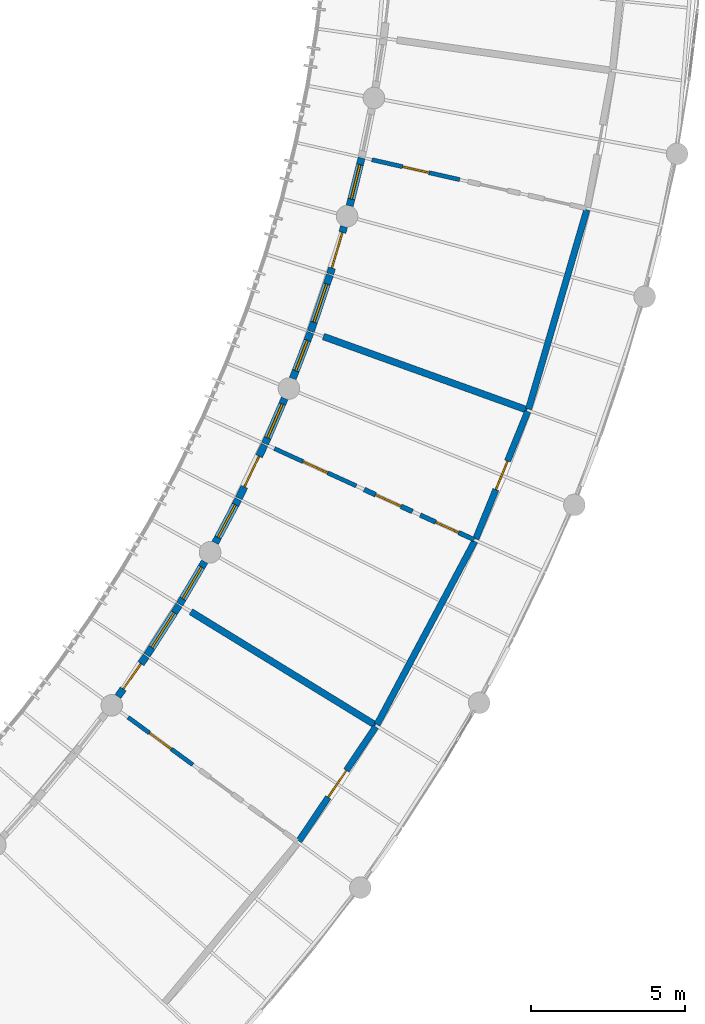
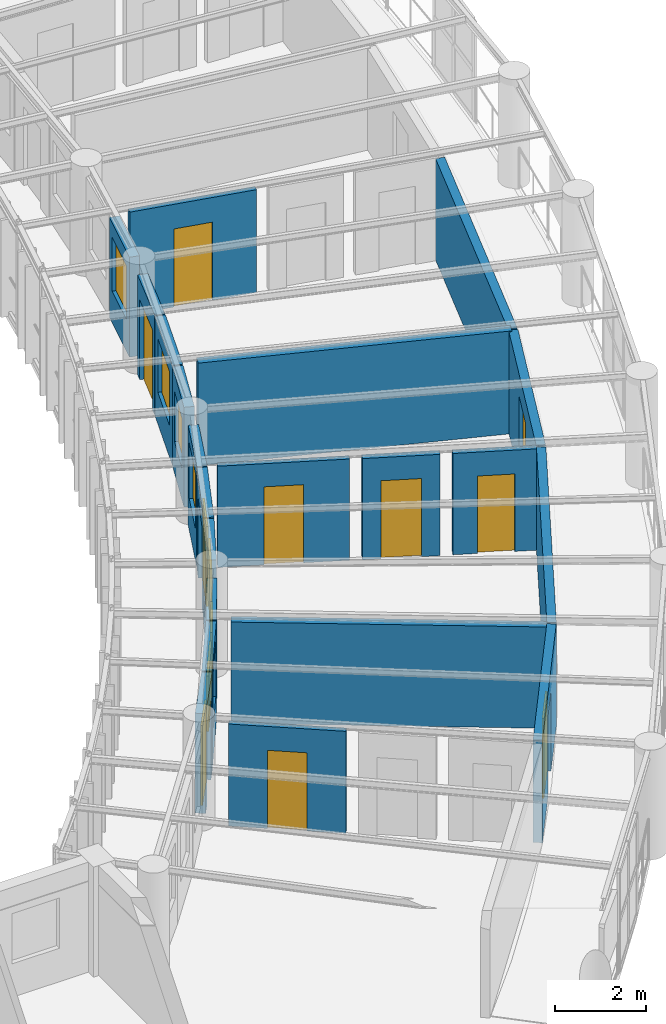
# One storey, part 80 of 123: 21 walls, 10 doors, 7 windows, 17 openings.
"""IFC4 building model written with IfcOpenShell, lengths in metres."""

from ifc_helpers import new_model, si_unit, direction, frame, frame_2d, origin, place, context, subcontext, project, spatial, rectangle, extrude, material, layer, layer_set, type_object, element, fill, save


model = new_model("IFC4")

# Units and contexts
model_context = context("Model", 3, precision=1e-05, world=origin(), true_north=direction((0.0, 1.0)))
body_context = subcontext(model_context, "Body", "Model", "MODEL_VIEW")
ifc_project = project(units=[si_unit("LENGTHUNIT", "METRE"), si_unit("AREAUNIT", "SQUARE_METRE"), si_unit("VOLUMEUNIT", "CUBIC_METRE"), si_unit("PLANEANGLEUNIT", "RADIAN"), si_unit("MASSUNIT", "GRAM", prefix="KILO"), si_unit("POWERUNIT", "WATT"), si_unit("THERMODYNAMICTEMPERATUREUNIT", "KELVIN")], contexts=[model_context])

# Site, building, storey
site_placement = place(None, origin())
site = spatial("IfcSite", under=ifc_project, at=site_placement, CompositionType="ELEMENT")
building_placement = place(site_placement, origin())
building = spatial("IfcBuilding", under=site, at=building_placement, Name="Ruvembo Vaulted Housing Court", CompositionType="ELEMENT")
storey_placement = place(building_placement, frame((0.0, 0.0, 7.699951171875)))
storey = spatial("IfcBuildingStorey", under=building, at=storey_placement, Name="L02", CompositionType="ELEMENT", Elevation=7.699951171875)

# Wall, opening, door
ifc_material_1 = material(Name="Concrete Blockwork 210", Category="masonry")
ifc_layer_1 = layer(ifc_material_1, 0.2099609375, Name="Concrete Blockwork 210")
ifc_layer_set_1 = layer_set([ifc_layer_1], Name="Concrete Blockwork 210")
wall_type_1 = type_object("IfcWallType", Name="WL-CORR-210", PredefinedType="SOLIDWALL", material=ifc_layer_set_1)
wall_1_placement = place(storey_placement, frame((46.773681640625, 41.20703125, 0.0), z_axis=(0.0, 0.0, 1.0), x_axis=(0.55793724224, 0.829883144619, 0.0)))
wall_1 = element("IfcWall", 1, at=wall_1_placement, inside=storey, type_object=wall_type_1, Name="L02 Suite SC1-L02-U1 Entrance WL-INT-L02-00683", PredefinedType="SOLIDWALL", context=body_context, shape_type="SweptSolid", body=[
    extrude(rectangle(XDim=4.46728515625, YDim=0.2099609375, at=frame_2d((2.233642578125, 0.0))), origin(), (0.0, 0.0, 1.0), 2.761962890625),
])
opening_1_placement = place(wall_1_placement, frame((1.70849609375, 0.0, 0.0)))
opening_1 = element("IfcOpeningElement", 2, at=opening_1_placement, cuts=wall_1, Name="Opening FD3", PredefinedType="OPENING", context=body_context, shape_type="SweptSolid", body=[
    extrude(rectangle(XDim=1.050048828125, YDim=2.14990234375, at=frame_2d((0.52490234375, 1.074951171875))), frame((0.0, 0.114990234375, 0.0), z_axis=(0.0, -1.0, 0.0), x_axis=(1.0, 0.0, 0.0)), (0.0, 0.0, 1.0), 0.22998046875),
])
ifc_material_2 = material(Name="FSC Hardwood and Engineered Timber", Category="wood")
door_type_1 = type_object("IfcDoorType", Name="DR-FLAT-1050x2150", OperationType="NOTDEFINED", PredefinedType="DOOR", material=ifc_material_2)
door_1_placement = place(opening_1_placement, origin())
door_1 = element("IfcDoor", 3, at=door_1_placement, inside=storey, type_object=door_type_1, Name="L02 Suite SC1-L02-U1 Entrance Door DR-INT-L02-00368", OperationType="SINGLE_SWING_RIGHT", OverallHeight=2.14990234375, OverallWidth=1.050048828125, PredefinedType="DOOR", context=body_context, shape_type="SweptSolid", body=[
    extrude(rectangle(XDim=1.050048828125, YDim=2.14990234375, at=frame_2d((0.52490234375, 1.074951171875))), frame((0.0, 0.02490234375, 0.0), z_axis=(0.0, -1.0, 0.0), x_axis=(1.0, 0.0, 0.0)), (0.0, 0.0, 1.0), 0.050048828125),
])
fill(opening_1, door_1)

# Wall
wall_2_placement = place(storey_placement, frame((49.307373046875, 44.98291015625, 0.0), z_axis=(0.0, 0.0, 1.0), x_axis=(0.47013685006, 0.88259353171, 0.0)))
element("IfcWall", 4, at=wall_2_placement, inside=storey, type_object=wall_type_1, Name="L02 Suite SC1-L02-U2 Gallery Wall WL-INT-L02-00688", PredefinedType="SOLIDWALL", context=body_context, shape_type="SweptSolid", body=[
    extrude(rectangle(XDim=6.73828125, YDim=0.2099609375, at=frame_2d((3.369140625, 0.0))), origin(), (0.0, 0.0, 1.0), 2.741943359375),
])

# Wall, opening, door
wall_3_placement = place(storey_placement, frame((52.50927734375, 51.00244140625, 0.0), z_axis=(0.0, 0.0, 1.0), x_axis=(0.377413192487, 0.926044967665, 0.0)))
wall_3 = element("IfcWall", 5, at=wall_3_placement, inside=storey, type_object=wall_type_1, Name="L02 Suite SC1-L02-U2 Entrance WL-INT-L02-00689", PredefinedType="SOLIDWALL", context=body_context, shape_type="SweptSolid", body=[
    extrude(rectangle(XDim=4.46728515625, YDim=0.2099609375, at=frame_2d((2.233642578125, 0.0))), origin(), (0.0, 0.0, 1.0), 2.741943359375),
])
opening_2_placement = place(wall_3_placement, frame((1.733642578125, 0.0, 0.0)))
opening_2 = element("IfcOpeningElement", 6, at=opening_2_placement, cuts=wall_3, Name="Opening FD1", PredefinedType="OPENING", context=body_context, shape_type="SweptSolid", body=[
    extrude(rectangle(XDim=1.0, YDim=2.14990234375, at=frame_2d((0.5, 1.074951171875))), frame((0.0, 0.114990234375, 0.0), z_axis=(0.0, -1.0, 0.0), x_axis=(1.0, 0.0, 0.0)), (0.0, 0.0, 1.0), 0.22998046875),
])
door_type_2 = type_object("IfcDoorType", Name="DR-FLAT-1000x2150", OperationType="NOTDEFINED", PredefinedType="DOOR", material=ifc_material_2)
door_2_placement = place(opening_2_placement, origin())
door_2 = element("IfcDoor", 7, at=door_2_placement, inside=storey, type_object=door_type_2, Name="L02 Suite SC1-L02-U2 Entrance Door DR-INT-L02-00372", OperationType="SINGLE_SWING_RIGHT", OverallHeight=2.14990234375, OverallWidth=1.0, PredefinedType="DOOR", context=body_context, shape_type="SweptSolid", body=[
    extrude(rectangle(XDim=1.0, YDim=2.14990234375, at=frame_2d((0.5, 1.074951171875))), frame((0.0, 0.02490234375, 0.0), z_axis=(0.0, -1.0, 0.0), x_axis=(1.0, 0.0, 0.0)), (0.0, 0.0, 1.0), 0.050048828125),
])
fill(opening_2, door_2)

# Walls
wall_4_placement = place(storey_placement, frame((54.221435546875, 55.214599609375, 0.0), z_axis=(0.0, 0.0, 1.0), x_axis=(0.280749798049, 0.95978099111, 0.0)))
element("IfcWall", 8, at=wall_4_placement, inside=storey, type_object=wall_type_1, Name="L02 Suite SC1-L02-U3 Gallery Wall WL-INT-L02-00694", PredefinedType="SOLIDWALL", context=body_context, shape_type="SweptSolid", body=[
    extrude(rectangle(XDim=6.738525390625, YDim=0.2099609375, at=frame_2d((3.369140625, 0.0))), origin(), (0.0, 0.0, 1.0), 2.72216796875),
])
ifc_material_3 = material(Name="Acoustic Masonry Demising 220", Category="masonry")
ifc_layer_2 = layer(ifc_material_3, 0.219970703125, Name="Acoustic Masonry Demising 220")
ifc_layer_set_2 = layer_set([ifc_layer_2], Name="Acoustic Masonry Demising 220")
wall_type_2 = type_object("IfcWallType", Name="WL-DEM-200", PredefinedType="SOLIDWALL", material=ifc_layer_set_2)
wall_5_placement = place(storey_placement, frame((43.273193359375, 48.643310546875, 0.0), z_axis=(0.0, 0.0, 1.0), x_axis=(0.852035433886, -0.523484115713, 0.0)))
element("IfcWall", 9, at=wall_5_placement, inside=storey, type_object=wall_type_2, Name="L02 Suite SC1-L02-U1 Demising WL-INT-L02-00687", PredefinedType="SOLIDWALL", context=body_context, shape_type="SweptSolid", body=[
    extrude(rectangle(XDim=7.019775390625, YDim=0.219970703125, at=frame_2d((3.509765625, 0.0))), origin(), (0.0, 0.0, 1.0), 2.72216796875),
])
wall_6_placement = place(storey_placement, frame((47.56884765625, 57.57080078125, 0.0), z_axis=(0.0, 0.0, 1.0), x_axis=(0.940728143869, -0.339161553441, 0.0)))
element("IfcWall", 10, at=wall_6_placement, inside=storey, type_object=wall_type_2, Name="L02 Suite SC1-L02-U2 Demising WL-INT-L02-00693", PredefinedType="SOLIDWALL", context=body_context, shape_type="SweptSolid", body=[
    extrude(rectangle(XDim=7.019775390625, YDim=0.219970703125, at=frame_2d((3.509765625, 0.0))), origin(), (0.0, 0.0, 1.0), 2.761962890625),
])

# Wall, opening, door
ifc_material_4 = material(Name="Rendered Masonry 235", Category="masonry")
ifc_layer_3 = layer(ifc_material_4, 0.235107421875, Name="Rendered Masonry 235")
ifc_layer_set_3 = layer_set([ifc_layer_3], Name="Rendered Masonry 235")
wall_type_3 = type_object("IfcWallType", Name="WL-EXT-235", PredefinedType="STANDARD", material=ifc_layer_set_3)
wall_7_placement = place(storey_placement, frame((40.9052734375, 45.896240234375, 0.0), z_axis=(0.0, 0.0, 1.0), x_axis=(0.574754617893, 0.818325808716, 0.0)))
wall_7 = element("IfcWall", 11, at=wall_7_placement, inside=storey, type_object=wall_type_3, Name="Scoop SC1 L02 Concave Balcony Wall 3", PredefinedType="STANDARD", context=body_context, shape_type="SweptSolid", body=[
    extrude(rectangle(XDim=1.5966796875, YDim=0.235107421875, at=frame_2d((0.79833984375, 0.0))), origin(), (0.0, 0.0, 1.0), 2.68408203125),
])
opening_3_placement = place(wall_7_placement, frame((0.29833984375, 0.0, 0.0)))
opening_3 = element("IfcOpeningElement", 12, at=opening_3_placement, cuts=wall_7, Name="Opening BD1", PredefinedType="OPENING", context=body_context, shape_type="SweptSolid", body=[
    extrude(rectangle(XDim=1.0, YDim=2.14990234375, at=frame_2d((0.5, 1.074951171875))), frame((0.0, 0.12744140625, 0.0), z_axis=(0.0, -1.0, 0.0), x_axis=(1.0, 0.0, 0.0)), (0.0, 0.0, 1.0), 0.255126953125),
])
ifc_material_5 = material(Name="Thermally Broken Glazed Aluminium", Category="aluminium")
door_type_3 = type_object("IfcDoorType", Name="DR-BAL-1000x2150", OperationType="NOTDEFINED", PredefinedType="DOOR", material=ifc_material_5)
door_3_placement = place(opening_3_placement, origin())
door_3 = element("IfcDoor", 13, at=door_3_placement, inside=storey, type_object=door_type_3, Name="Scoop SC1 L02 Balcony Door 3", OperationType="SINGLE_SWING_RIGHT", OverallHeight=2.14990234375, OverallWidth=1.0, PredefinedType="DOOR", context=body_context, shape_type="SweptSolid", body=[
    extrude(rectangle(XDim=1.0, YDim=2.14990234375, at=frame_2d((0.5, 1.074951171875))), frame((0.0, 0.02490234375, 0.0), z_axis=(0.0, -1.0, 0.0), x_axis=(1.0, 0.0, 0.0)), (0.0, 0.0, 1.0), 0.050048828125),
])
fill(opening_3, door_3)

# Wall, opening, window
wall_8_placement = place(storey_placement, frame((41.84521484375, 47.236083984375, 0.0), z_axis=(0.0, 0.0, 1.0), x_axis=(0.540911277163, 0.841079657486, 0.0)))
wall_8 = element("IfcWall", 14, at=wall_8_placement, inside=storey, type_object=wall_type_3, Name="Scoop SC1 L02 Concave Balcony Wall 4", PredefinedType="STANDARD", context=body_context, shape_type="SweptSolid", body=[
    extrude(rectangle(XDim=1.9267578125, YDim=0.235107421875, at=frame_2d((0.96337890625, 0.0))), origin(), (0.0, 0.0, 1.0), 2.68408203125),
])
opening_4_placement = place(wall_8_placement, frame((0.288330078125, 0.0, 0.85009765625)))
opening_4 = element("IfcOpeningElement", 15, at=opening_4_placement, cuts=wall_8, Name="Opening W16", PredefinedType="OPENING", context=body_context, shape_type="SweptSolid", body=[
    extrude(rectangle(XDim=1.35009765625, YDim=1.5, at=frame_2d((0.675048828125, 0.75))), frame((0.0, 0.12744140625, 0.0), z_axis=(0.0, -1.0, 0.0), x_axis=(1.0, 0.0, 0.0)), (0.0, 0.0, 1.0), 0.255126953125),
])
ifc_material_6 = material(Name="Double Solar-Control Glazing in Aluminium Frame", Category="aluminium")
window_type_1 = type_object("IfcWindowType", Name="WIN-1350x1500", PartitioningType="SINGLE_PANEL", PredefinedType="WINDOW", material=ifc_material_6)
window_1_placement = place(opening_4_placement, origin())
window_1 = element("IfcWindow", 16, at=window_1_placement, inside=storey, type_object=window_type_1, Name="Scoop SC1 L02 Concave Window 4", OverallHeight=1.5, OverallWidth=1.35009765625, PartitioningType="SINGLE_PANEL", PredefinedType="WINDOW", context=body_context, shape_type="SweptSolid", body=[
    extrude(rectangle(XDim=1.35009765625, YDim=1.5, at=frame_2d((0.675048828125, 0.75))), frame((0.0, 0.030029296875, 0.0), z_axis=(0.0, -1.0, 0.0), x_axis=(1.0, 0.0, 0.0)), (0.0, 0.0, 1.0), 0.06005859375),
])
fill(opening_4, window_1)

wall_9_placement = place(storey_placement, frame((42.908203125, 48.890869140625, 0.0), z_axis=(0.0, 0.0, 1.0), x_axis=(0.505970625323, 0.862550709414, 0.0)))
wall_9 = element("IfcWall", 17, at=wall_9_placement, inside=storey, type_object=wall_type_3, Name="Scoop SC1 L02 Concave Balcony Wall 5", PredefinedType="STANDARD", context=body_context, shape_type="SweptSolid", body=[
    extrude(rectangle(XDim=1.5966796875, YDim=0.235107421875, at=frame_2d((0.79833984375, 0.0))), origin(), (0.0, 0.0, 1.0), 2.68408203125),
])
opening_5_placement = place(wall_9_placement, frame((0.1982421875, 0.0, 0.85009765625)))
opening_5 = element("IfcOpeningElement", 18, at=opening_5_placement, cuts=wall_9, Name="Opening W12", PredefinedType="OPENING", context=body_context, shape_type="SweptSolid", body=[
    extrude(rectangle(XDim=1.199951171875, YDim=1.35009765625, at=frame_2d((0.60009765625, 0.675048828125))), frame((0.0, 0.12744140625, 0.0), z_axis=(0.0, -1.0, 0.0), x_axis=(1.0, 0.0, 0.0)), (0.0, 0.0, 1.0), 0.255126953125),
])
window_type_2 = type_object("IfcWindowType", Name="WIN-1200x1350", PartitioningType="SINGLE_PANEL", PredefinedType="WINDOW", material=ifc_material_6)
window_2_placement = place(opening_5_placement, origin())
window_2 = element("IfcWindow", 19, at=window_2_placement, inside=storey, type_object=window_type_2, Name="Scoop SC1 L02 Concave Window 5", OverallHeight=1.35009765625, OverallWidth=1.199951171875, PartitioningType="SINGLE_PANEL", PredefinedType="WINDOW", context=body_context, shape_type="SweptSolid", body=[
    extrude(rectangle(XDim=1.199951171875, YDim=1.35009765625, at=frame_2d((0.60009765625, 0.675048828125))), frame((0.0, 0.030029296875, 0.0), z_axis=(0.0, -1.0, 0.0), x_axis=(1.0, 0.0, 0.0)), (0.0, 0.0, 1.0), 0.06005859375),
])
fill(opening_5, window_2)

wall_10_placement = place(storey_placement, frame((44.0576171875, 50.87890625, 0.0), z_axis=(0.0, 0.0, 1.0), x_axis=(0.470183436771, 0.882568714484, 0.0)))
wall_10 = element("IfcWall", 20, at=wall_10_placement, inside=storey, type_object=wall_type_3, Name="Scoop SC1 L02 Concave Balcony Wall 6", PredefinedType="STANDARD", context=body_context, shape_type="SweptSolid", body=[
    extrude(rectangle(XDim=1.5966796875, YDim=0.235107421875, at=frame_2d((0.79833984375, 0.0))), origin(), (0.0, 0.0, 1.0), 2.68408203125),
])
opening_6_placement = place(wall_10_placement, frame((0.198486328125, 0.0, 0.85009765625)))
opening_6 = element("IfcOpeningElement", 21, at=opening_6_placement, cuts=wall_10, Name="Opening W13", PredefinedType="OPENING", context=body_context, shape_type="SweptSolid", body=[
    extrude(rectangle(XDim=1.199951171875, YDim=1.449951171875, at=frame_2d((0.60009765625, 0.72509765625))), frame((0.0, 0.12744140625, 0.0), z_axis=(0.0, -1.0, 0.0), x_axis=(1.0, 0.0, 0.0)), (0.0, 0.0, 1.0), 0.255126953125),
])
window_type_3 = type_object("IfcWindowType", Name="WIN-1200x1450", PartitioningType="SINGLE_PANEL", PredefinedType="WINDOW", material=ifc_material_6)
window_3_placement = place(opening_6_placement, origin())
window_3 = element("IfcWindow", 22, at=window_3_placement, inside=storey, type_object=window_type_3, Name="Scoop SC1 L02 Concave Window 6", OverallHeight=1.449951171875, OverallWidth=1.199951171875, PartitioningType="SINGLE_PANEL", PredefinedType="WINDOW", context=body_context, shape_type="SweptSolid", body=[
    extrude(rectangle(XDim=1.199951171875, YDim=1.449951171875, at=frame_2d((0.60009765625, 0.72509765625))), frame((0.0, 0.030029296875, 0.0), z_axis=(0.0, -1.0, 0.0), x_axis=(1.0, 0.0, 0.0)), (0.0, 0.0, 1.0), 0.06005859375),
])
fill(opening_6, window_3)

# Wall, opening, door
wall_11_placement = place(storey_placement, frame((44.826416015625, 52.323974609375, 0.0), z_axis=(0.0, 0.0, 1.0), x_axis=(0.433579410465, 0.90111536155, 0.0)))
wall_11 = element("IfcWall", 23, at=wall_11_placement, inside=storey, type_object=wall_type_3, Name="Scoop SC1 L02 Concave Balcony Wall 7", PredefinedType="STANDARD", context=body_context, shape_type="SweptSolid", body=[
    extrude(rectangle(XDim=1.9267578125, YDim=0.235107421875, at=frame_2d((0.96337890625, 0.0))), origin(), (0.0, 0.0, 1.0), 2.68408203125),
])
opening_7_placement = place(wall_11_placement, frame((0.413330078125, 0.0, 0.0)))
opening_7 = element("IfcOpeningElement", 24, at=opening_7_placement, cuts=wall_11, Name="Opening BD3", PredefinedType="OPENING", context=body_context, shape_type="SweptSolid", body=[
    extrude(rectangle(XDim=1.10009765625, YDim=2.14990234375, at=frame_2d((0.550048828125, 1.074951171875))), frame((0.0, 0.12744140625, 0.0), z_axis=(0.0, -1.0, 0.0), x_axis=(1.0, 0.0, 0.0)), (0.0, 0.0, 1.0), 0.255126953125),
])
door_type_4 = type_object("IfcDoorType", Name="DR-BAL-1100x2150", OperationType="NOTDEFINED", PredefinedType="DOOR", material=ifc_material_5)
door_4_placement = place(opening_7_placement, origin())
door_4 = element("IfcDoor", 25, at=door_4_placement, inside=storey, type_object=door_type_4, Name="Scoop SC1 L02 Balcony Door 7", OperationType="SINGLE_SWING_LEFT", OverallHeight=2.14990234375, OverallWidth=1.10009765625, PredefinedType="DOOR", context=body_context, shape_type="SweptSolid", body=[
    extrude(rectangle(XDim=1.10009765625, YDim=2.14990234375, at=frame_2d((0.550048828125, 1.074951171875))), frame((0.0, 0.02490234375, 0.0), z_axis=(0.0, -1.0, 0.0), x_axis=(1.0, 0.0, 0.0)), (0.0, 0.0, 1.0), 0.050048828125),
])
fill(opening_7, door_4)

# Wall, opening, window
wall_12_placement = place(storey_placement, frame((45.678466796875, 54.0966796875, 0.0), z_axis=(0.0, 0.0, 1.0), x_axis=(0.396353998836, 0.918097765822, 0.0)))
wall_12 = element("IfcWall", 26, at=wall_12_placement, inside=storey, type_object=wall_type_3, Name="Scoop SC1 L02 Concave Balcony Wall 8", PredefinedType="STANDARD", context=body_context, shape_type="SweptSolid", body=[
    extrude(rectangle(XDim=1.5966796875, YDim=0.235107421875, at=frame_2d((0.79833984375, 0.0))), origin(), (0.0, 0.0, 1.0), 2.68408203125),
])
opening_8_placement = place(wall_12_placement, frame((0.198486328125, 0.0, 0.85009765625)))
opening_8 = element("IfcOpeningElement", 27, at=opening_8_placement, cuts=wall_12, Name="Opening W14", PredefinedType="OPENING", context=body_context, shape_type="SweptSolid", body=[
    extrude(rectangle(XDim=1.199951171875, YDim=1.5, at=frame_2d((0.60009765625, 0.75))), frame((0.0, 0.12744140625, 0.0), z_axis=(0.0, -1.0, 0.0), x_axis=(1.0, 0.0, 0.0)), (0.0, 0.0, 1.0), 0.255126953125),
])
window_type_4 = type_object("IfcWindowType", Name="WIN-1200x1500", PartitioningType="SINGLE_PANEL", PredefinedType="WINDOW", material=ifc_material_6)
window_4_placement = place(opening_8_placement, origin())
window_4 = element("IfcWindow", 28, at=window_4_placement, inside=storey, type_object=window_type_4, Name="Scoop SC1 L02 Concave Window 8", OverallHeight=1.5, OverallWidth=1.199951171875, PartitioningType="SINGLE_PANEL", PredefinedType="WINDOW", context=body_context, shape_type="SweptSolid", body=[
    extrude(rectangle(XDim=1.199951171875, YDim=1.5, at=frame_2d((0.60009765625, 0.75))), frame((0.0, 0.030029296875, 0.0), z_axis=(0.0, -1.0, 0.0), x_axis=(1.0, 0.0, 0.0)), (0.0, 0.0, 1.0), 0.06005859375),
])
fill(opening_8, window_4)

wall_13_placement = place(storey_placement, frame((46.575439453125, 56.210693359375, 0.0), z_axis=(0.0, 0.0, 1.0), x_axis=(0.358384767005, 0.933573970705, 0.0)))
wall_13 = element("IfcWall", 29, at=wall_13_placement, inside=storey, type_object=wall_type_3, Name="Scoop SC1 L02 Concave Balcony Wall 9", PredefinedType="STANDARD", context=body_context, shape_type="SweptSolid", body=[
    extrude(rectangle(XDim=1.5966796875, YDim=0.235107421875, at=frame_2d((0.79833984375, 0.0))), origin(), (0.0, 0.0, 1.0), 2.68408203125),
])
opening_9_placement = place(wall_13_placement, frame((0.2734375, 0.0, 0.85009765625)))
opening_9 = element("IfcOpeningElement", 30, at=opening_9_placement, cuts=wall_13, Name="Opening W09", PredefinedType="OPENING", context=body_context, shape_type="SweptSolid", body=[
    extrude(rectangle(XDim=1.050048828125, YDim=1.35009765625, at=frame_2d((0.52490234375, 0.675048828125))), frame((0.0, 0.12744140625, 0.0), z_axis=(0.0, -1.0, 0.0), x_axis=(1.0, 0.0, 0.0)), (0.0, 0.0, 1.0), 0.255126953125),
])
window_type_5 = type_object("IfcWindowType", Name="WIN-1050x1350", PartitioningType="SINGLE_PANEL", PredefinedType="WINDOW", material=ifc_material_6)
window_5_placement = place(opening_9_placement, origin())
window_5 = element("IfcWindow", 31, at=window_5_placement, inside=storey, type_object=window_type_5, Name="Scoop SC1 L02 Concave Window 9", OverallHeight=1.35009765625, OverallWidth=1.050048828125, PartitioningType="SINGLE_PANEL", PredefinedType="WINDOW", context=body_context, shape_type="SweptSolid", body=[
    extrude(rectangle(XDim=1.050048828125, YDim=1.35009765625, at=frame_2d((0.52490234375, 0.675048828125))), frame((0.0, 0.030029296875, 0.0), z_axis=(0.0, -1.0, 0.0), x_axis=(1.0, 0.0, 0.0)), (0.0, 0.0, 1.0), 0.06005859375),
])
fill(opening_9, window_5)

wall_14_placement = place(storey_placement, frame((47.161376953125, 57.739013671875, 0.0), z_axis=(0.0, 0.0, 1.0), x_axis=(0.319798549746, 0.947485560618, 0.0)))
wall_14 = element("IfcWall", 32, at=wall_14_placement, inside=storey, type_object=wall_type_3, Name="Scoop SC1 L02 Concave Balcony Wall 10", PredefinedType="STANDARD", context=body_context, shape_type="SweptSolid", body=[
    extrude(rectangle(XDim=1.9267578125, YDim=0.235107421875, at=frame_2d((0.96337890625, 0.0))), origin(), (0.0, 0.0, 1.0), 2.68408203125),
])
opening_10_placement = place(wall_14_placement, frame((0.3134765625, 0.0, 0.85009765625)))
opening_10 = element("IfcOpeningElement", 33, at=opening_10_placement, cuts=wall_14, Name="Opening W15", PredefinedType="OPENING", context=body_context, shape_type="SweptSolid", body=[
    extrude(rectangle(XDim=1.300048828125, YDim=1.449951171875, at=frame_2d((0.64990234375, 0.72509765625))), frame((0.0, 0.12744140625, 0.0), z_axis=(0.0, -1.0, 0.0), x_axis=(1.0, 0.0, 0.0)), (0.0, 0.0, 1.0), 0.255126953125),
])
window_type_6 = type_object("IfcWindowType", Name="WIN-1300x1450", PartitioningType="SINGLE_PANEL", PredefinedType="WINDOW", material=ifc_material_6)
window_6_placement = place(opening_10_placement, origin())
window_6 = element("IfcWindow", 34, at=window_6_placement, inside=storey, type_object=window_type_6, Name="Scoop SC1 L02 Concave Window 10", OverallHeight=1.449951171875, OverallWidth=1.300048828125, PartitioningType="SINGLE_PANEL", PredefinedType="WINDOW", context=body_context, shape_type="SweptSolid", body=[
    extrude(rectangle(XDim=1.300048828125, YDim=1.449951171875, at=frame_2d((0.64990234375, 0.72509765625))), frame((0.0, 0.030029296875, 0.0), z_axis=(0.0, -1.0, 0.0), x_axis=(1.0, 0.0, 0.0)), (0.0, 0.0, 1.0), 0.06005859375),
])
fill(opening_10, window_6)

# Wall, opening, door
wall_15_placement = place(storey_placement, frame((47.78955078125, 59.602783203125, 0.0), z_axis=(0.0, 0.0, 1.0), x_axis=(0.28073386291, 0.959785652224, 0.0)))
wall_15 = element("IfcWall", 35, at=wall_15_placement, inside=storey, type_object=wall_type_3, Name="Scoop SC1 L02 Concave Balcony Wall 11", PredefinedType="STANDARD", context=body_context, shape_type="SweptSolid", body=[
    extrude(rectangle(XDim=1.5966796875, YDim=0.235107421875, at=frame_2d((0.79833984375, 0.0))), origin(), (0.0, 0.0, 1.0), 2.68408203125),
])
opening_11_placement = place(wall_15_placement, frame((0.198486328125, 0.0, 0.0)))
opening_11 = element("IfcOpeningElement", 36, at=opening_11_placement, cuts=wall_15, Name="Opening BD2", PredefinedType="OPENING", context=body_context, shape_type="SweptSolid", body=[
    extrude(rectangle(XDim=1.199951171875, YDim=2.14990234375, at=frame_2d((0.60009765625, 1.074951171875))), frame((0.0, 0.12744140625, 0.0), z_axis=(0.0, -1.0, 0.0), x_axis=(1.0, 0.0, 0.0)), (0.0, 0.0, 1.0), 0.255126953125),
])
door_type_5 = type_object("IfcDoorType", Name="DR-BAL-1200x2150", OperationType="NOTDEFINED", PredefinedType="DOOR", material=ifc_material_5)
door_5_placement = place(opening_11_placement, origin())
door_5 = element("IfcDoor", 37, at=door_5_placement, inside=storey, type_object=door_type_5, Name="Scoop SC1 L02 Balcony Door 11", OperationType="SINGLE_SWING_RIGHT", OverallHeight=2.14990234375, OverallWidth=1.199951171875, PredefinedType="DOOR", context=body_context, shape_type="SweptSolid", body=[
    extrude(rectangle(XDim=1.199951171875, YDim=2.14990234375, at=frame_2d((0.60009765625, 1.074951171875))), frame((0.0, 0.02490234375, 0.0), z_axis=(0.0, -1.0, 0.0), x_axis=(1.0, 0.0, 0.0)), (0.0, 0.0, 1.0), 0.050048828125),
])
fill(opening_11, door_5)

# Wall, opening, window
wall_16_placement = place(storey_placement, frame((48.42041015625, 61.810791015625, 0.0), z_axis=(0.0, 0.0, 1.0), x_axis=(0.241240447943, 0.970465376135, 0.0)))
wall_16 = element("IfcWall", 38, at=wall_16_placement, inside=storey, type_object=wall_type_3, Name="Scoop SC1 L02 Concave Balcony Wall 12", PredefinedType="STANDARD", context=body_context, shape_type="SweptSolid", body=[
    extrude(rectangle(XDim=1.596923828125, YDim=0.235107421875, at=frame_2d((0.79833984375, 0.0))), origin(), (0.0, 0.0, 1.0), 2.68408203125),
])
opening_12_placement = place(wall_16_placement, frame((0.223388671875, 0.0, 0.85009765625)))
opening_12 = element("IfcOpeningElement", 39, at=opening_12_placement, cuts=wall_16, Name="Opening W11", PredefinedType="OPENING", context=body_context, shape_type="SweptSolid", body=[
    extrude(rectangle(XDim=1.14990234375, YDim=1.449951171875, at=frame_2d((0.574951171875, 0.72509765625))), frame((0.0, 0.12744140625, 0.0), z_axis=(0.0, -1.0, 0.0), x_axis=(1.0, 0.0, 0.0)), (0.0, 0.0, 1.0), 0.255126953125),
])
window_type_7 = type_object("IfcWindowType", Name="WIN-1150x1450", PartitioningType="SINGLE_PANEL", PredefinedType="WINDOW", material=ifc_material_6)
window_7_placement = place(opening_12_placement, origin())
window_7 = element("IfcWindow", 40, at=window_7_placement, inside=storey, type_object=window_type_7, Name="Scoop SC1 L02 Concave Window 12", OverallHeight=1.449951171875, OverallWidth=1.14990234375, PartitioningType="SINGLE_PANEL", PredefinedType="WINDOW", context=body_context, shape_type="SweptSolid", body=[
    extrude(rectangle(XDim=1.14990234375, YDim=1.449951171875, at=frame_2d((0.574951171875, 0.72509765625))), frame((0.0, 0.030029296875, 0.0), z_axis=(0.0, -1.0, 0.0), x_axis=(1.0, 0.0, 0.0)), (0.0, 0.0, 1.0), 0.06005859375),
])
fill(opening_12, window_7)

# Wall, opening, door
ifc_material_7 = material(Name="Acoustic Stud Partition 135", Category="gypsum")
ifc_layer_4 = layer(ifc_material_7, 0.135009765625, Name="Acoustic Stud Partition 135")
ifc_layer_set_4 = layer_set([ifc_layer_4], Name="Acoustic Stud Partition 135")
wall_type_4 = type_object("IfcWallType", Name="WL-PART-135", PredefinedType="PARTITIONING", material=ifc_layer_set_4)
wall_17_placement = place(storey_placement, frame((41.236083984375, 45.219482421875, 0.0), z_axis=(0.0, 0.0, 1.0), x_axis=(0.806321400299, -0.591477640676, 0.0)))
wall_17 = element("IfcWall", 41, at=wall_17_placement, inside=storey, type_object=wall_type_4, Name="L02 Suite SC1-L02-U1 Bedroom WL-INT-L02-00684", PredefinedType="PARTITIONING", context=body_context, shape_type="SweptSolid", body=[
    extrude(rectangle(XDim=2.60009765625, YDim=0.135009765625, at=frame_2d((1.300048828125, 0.0))), origin(), (0.0, 0.0, 1.0), 2.741943359375),
])
opening_13_placement = place(wall_17_placement, frame((0.860107421875, 0.0, 0.0)))
opening_13 = element("IfcOpeningElement", 42, at=opening_13_placement, cuts=wall_17, Name="Opening ID3", PredefinedType="OPENING", context=body_context, shape_type="SweptSolid", body=[
    extrude(rectangle(XDim=0.8798828125, YDim=2.10009765625, at=frame_2d((0.43994140625, 1.050048828125))), frame((0.0, 0.077392578125, 0.0), z_axis=(0.0, -1.0, 0.0), x_axis=(1.0, 0.0, 0.0)), (0.0, 0.0, 1.0), 0.155029296875),
])
door_type_6 = type_object("IfcDoorType", Name="DR-ROOM-0880x2100", OperationType="NOTDEFINED", PredefinedType="DOOR", material=ifc_material_2)
door_6_placement = place(opening_13_placement, origin())
door_6 = element("IfcDoor", 43, at=door_6_placement, inside=storey, type_object=door_type_6, Name="L02 Suite SC1-L02-U1 Bedroom Door DR-INT-L02-00369", OperationType="SINGLE_SWING_LEFT", OverallHeight=2.10009765625, OverallWidth=0.8798828125, PredefinedType="DOOR", context=body_context, shape_type="SweptSolid", body=[
    extrude(rectangle(XDim=0.8798828125, YDim=2.10009765625, at=frame_2d((0.43994140625, 1.050048828125))), frame((0.0, 0.02490234375, 0.0), z_axis=(0.0, -1.0, 0.0), x_axis=(1.0, 0.0, 0.0)), (0.0, 0.0, 1.0), 0.050048828125),
])
fill(opening_13, door_6)

wall_18_placement = place(storey_placement, frame((45.97998046875, 53.93701171875, 0.0), z_axis=(0.0, 0.0, 1.0), x_axis=(0.909795784273, -0.415056178029, 0.0)))
wall_18 = element("IfcWall", 44, at=wall_18_placement, inside=storey, type_object=wall_type_4, Name="L02 Suite SC1-L02-U2 Bedroom WL-INT-L02-00690", PredefinedType="PARTITIONING", context=body_context, shape_type="SweptSolid", body=[
    extrude(rectangle(XDim=2.919921875, YDim=0.135009765625, at=frame_2d((1.4599609375, 0.0))), origin(), (0.0, 0.0, 1.0), 2.72216796875),
])
opening_14_placement = place(wall_18_placement, frame((1.02001953125, 0.0, 0.0)))
opening_14 = element("IfcOpeningElement", 45, at=opening_14_placement, cuts=wall_18, Name="Opening ID3", PredefinedType="OPENING", context=body_context, shape_type="SweptSolid", body=[
    extrude(rectangle(XDim=0.8798828125, YDim=2.10009765625, at=frame_2d((0.43994140625, 1.050048828125))), frame((0.0, 0.077392578125, 0.0), z_axis=(0.0, -1.0, 0.0), x_axis=(1.0, 0.0, 0.0)), (0.0, 0.0, 1.0), 0.155029296875),
])
door_7_placement = place(opening_14_placement, origin())
door_7 = element("IfcDoor", 46, at=door_7_placement, inside=storey, type_object=door_type_6, Name="L02 Suite SC1-L02-U2 Bedroom Door DR-INT-L02-00373", OperationType="SINGLE_SWING_LEFT", OverallHeight=2.10009765625, OverallWidth=0.8798828125, PredefinedType="DOOR", context=body_context, shape_type="SweptSolid", body=[
    extrude(rectangle(XDim=0.8798828125, YDim=2.10009765625, at=frame_2d((0.43994140625, 1.050048828125))), frame((0.0, 0.02490234375, 0.0), z_axis=(0.0, -1.0, 0.0), x_axis=(1.0, 0.0, 0.0)), (0.0, 0.0, 1.0), 0.050048828125),
])
fill(opening_14, door_7)

wall_19_placement = place(storey_placement, frame((49.14208984375, 63.3046875, 0.0), z_axis=(0.0, 0.0, 1.0), x_axis=(0.975217386735, -0.221248838661, 0.0)))
wall_19 = element("IfcWall", 47, at=wall_19_placement, inside=storey, type_object=wall_type_4, Name="L02 Suite SC1-L02-U3 Bedroom WL-INT-L02-00696", PredefinedType="PARTITIONING", context=body_context, shape_type="SweptSolid", body=[
    extrude(rectangle(XDim=2.919677734375, YDim=0.135009765625, at=frame_2d((1.4599609375, 0.0))), origin(), (0.0, 0.0, 1.0), 2.761962890625),
])
opening_15_placement = place(wall_19_placement, frame((1.02001953125, 0.0, 0.0)))
opening_15 = element("IfcOpeningElement", 48, at=opening_15_placement, cuts=wall_19, Name="Opening ID3", PredefinedType="OPENING", context=body_context, shape_type="SweptSolid", body=[
    extrude(rectangle(XDim=0.8798828125, YDim=2.10009765625, at=frame_2d((0.43994140625, 1.050048828125))), frame((0.0, 0.077392578125, 0.0), z_axis=(0.0, -1.0, 0.0), x_axis=(1.0, 0.0, 0.0)), (0.0, 0.0, 1.0), 0.155029296875),
])
door_8_placement = place(opening_15_placement, origin())
door_8 = element("IfcDoor", 49, at=door_8_placement, inside=storey, type_object=door_type_6, Name="L02 Suite SC1-L02-U3 Bedroom Door DR-INT-L02-00377", OperationType="SINGLE_SWING_LEFT", OverallHeight=2.10009765625, OverallWidth=0.8798828125, PredefinedType="DOOR", context=body_context, shape_type="SweptSolid", body=[
    extrude(rectangle(XDim=0.8798828125, YDim=2.10009765625, at=frame_2d((0.43994140625, 1.050048828125))), frame((0.0, 0.02490234375, 0.0), z_axis=(0.0, -1.0, 0.0), x_axis=(1.0, 0.0, 0.0)), (0.0, 0.0, 1.0), 0.050048828125),
])
fill(opening_15, door_8)

ifc_material_8 = material(Name="Moisture-Resistant Wet Partition 150", Category="gypsum")
ifc_layer_5 = layer(ifc_material_8, 0.14990234375, Name="Moisture-Resistant Wet Partition 150")
ifc_layer_set_5 = layer_set([ifc_layer_5], Name="Moisture-Resistant Wet Partition 150")
wall_type_5 = type_object("IfcWallType", Name="WL-PART-150", PredefinedType="PARTITIONING", material=ifc_layer_set_5)
wall_20_placement = place(storey_placement, frame((50.7109375, 51.77880859375, 0.0), z_axis=(0.0, 0.0, 1.0), x_axis=(0.90980388611, -0.415038418485, 0.0)))
wall_20 = element("IfcWall", 50, at=wall_20_placement, inside=storey, type_object=wall_type_5, Name="L02 Suite SC1-L02-U2 Bathroom WL-INT-L02-00692", PredefinedType="PARTITIONING", context=body_context, shape_type="SweptSolid", body=[
    extrude(rectangle(XDim=1.919921875, YDim=0.14990234375, at=frame_2d((0.9599609375, 0.0))), origin(), (0.0, 0.0, 1.0), 2.72216796875),
])
opening_16_placement = place(wall_20_placement, frame((0.550048828125, 0.0, 0.0)))
opening_16 = element("IfcOpeningElement", 51, at=opening_16_placement, cuts=wall_20, Name="Opening ID4", PredefinedType="OPENING", context=body_context, shape_type="SweptSolid", body=[
    extrude(rectangle(XDim=0.820068359375, YDim=2.080078125, at=frame_2d((0.41015625, 1.0400390625))), frame((0.0, 0.0849609375, 0.0), z_axis=(0.0, -1.0, 0.0), x_axis=(1.0, 0.0, 0.0)), (0.0, 0.0, 1.0), 0.169921875),
])
door_type_7 = type_object("IfcDoorType", Name="DR-WET-0820x2080", OperationType="NOTDEFINED", PredefinedType="DOOR", material=ifc_material_2)
door_9_placement = place(opening_16_placement, origin())
door_9 = element("IfcDoor", 52, at=door_9_placement, inside=storey, type_object=door_type_7, Name="L02 Suite SC1-L02-U2 Bathroom Door DR-INT-L02-00375", OperationType="SINGLE_SWING_LEFT", OverallHeight=2.080078125, OverallWidth=0.820068359375, PredefinedType="DOOR", context=body_context, shape_type="SweptSolid", body=[
    extrude(rectangle(XDim=0.820068359375, YDim=2.080078125, at=frame_2d((0.41015625, 1.0400390625))), frame((0.0, 0.02490234375, 0.0), z_axis=(0.0, -1.0, 0.0), x_axis=(1.0, 0.0, 0.0)), (0.0, 0.0, 1.0), 0.050048828125),
])
fill(opening_16, door_9)

ifc_material_9 = material(Name="Acoustic Service Chase Wall 160", Category="gypsum")
ifc_layer_6 = layer(ifc_material_9, 0.159912109375, Name="Acoustic Service Chase Wall 160")
ifc_layer_set_6 = layer_set([ifc_layer_6], Name="Acoustic Service Chase Wall 160")
wall_type_6 = type_object("IfcWallType", Name="WL-PLUMB-160", PredefinedType="PLUMBINGWALL", material=ifc_layer_set_6)
wall_21_placement = place(storey_placement, frame((48.891357421875, 52.60888671875, 0.0), z_axis=(0.0, 0.0, 1.0), x_axis=(0.909787074161, -0.415075269909, 0.0)))
wall_21 = element("IfcWall", 53, at=wall_21_placement, inside=storey, type_object=wall_type_6, Name="L02 Suite SC1-L02-U2 Kitchen WL-INT-L02-00691", PredefinedType="PLUMBINGWALL", context=body_context, shape_type="SweptSolid", body=[
    extrude(rectangle(XDim=1.719970703125, YDim=0.159912109375, at=frame_2d((0.85986328125, 0.0))), origin(), (0.0, 0.0, 1.0), 2.72216796875),
])
opening_17_placement = place(wall_21_placement, frame((0.409912109375, 0.0, 0.0)))
opening_17 = element("IfcOpeningElement", 54, at=opening_17_placement, cuts=wall_21, Name="Opening ID1", PredefinedType="OPENING", context=body_context, shape_type="SweptSolid", body=[
    extrude(rectangle(XDim=0.89990234375, YDim=2.10009765625, at=frame_2d((0.449951171875, 1.050048828125))), frame((0.0, 0.08984375, 0.0), z_axis=(0.0, -1.0, 0.0), x_axis=(1.0, 0.0, 0.0)), (0.0, 0.0, 1.0), 0.179931640625),
])
door_type_8 = type_object("IfcDoorType", Name="DR-ROOM-0900x2100", OperationType="NOTDEFINED", PredefinedType="DOOR", material=ifc_material_2)
door_10_placement = place(opening_17_placement, origin())
door_10 = element("IfcDoor", 55, at=door_10_placement, inside=storey, type_object=door_type_8, Name="L02 Suite SC1-L02-U2 Kitchen Door DR-INT-L02-00374", OperationType="SINGLE_SWING_RIGHT", OverallHeight=2.10009765625, OverallWidth=0.89990234375, PredefinedType="DOOR", context=body_context, shape_type="SweptSolid", body=[
    extrude(rectangle(XDim=0.89990234375, YDim=2.10009765625, at=frame_2d((0.449951171875, 1.050048828125))), frame((0.0, 0.02490234375, 0.0), z_axis=(0.0, -1.0, 0.0), x_axis=(1.0, 0.0, 0.0)), (0.0, 0.0, 1.0), 0.050048828125),
])
fill(opening_17, door_10)

save(model, "model.ifc")
